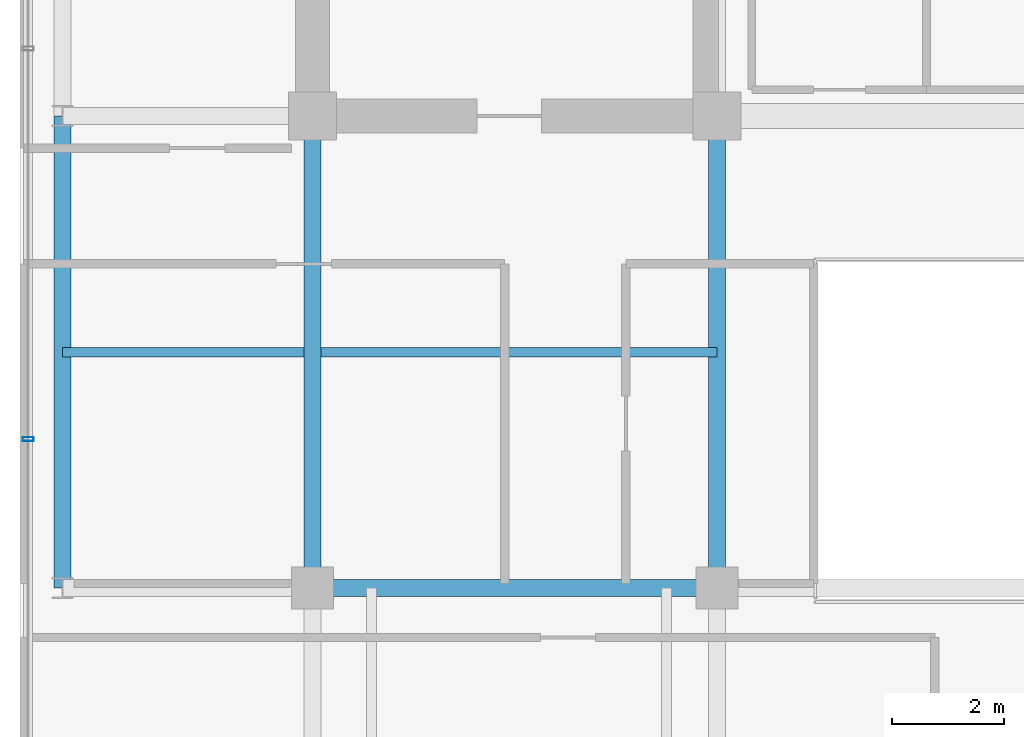
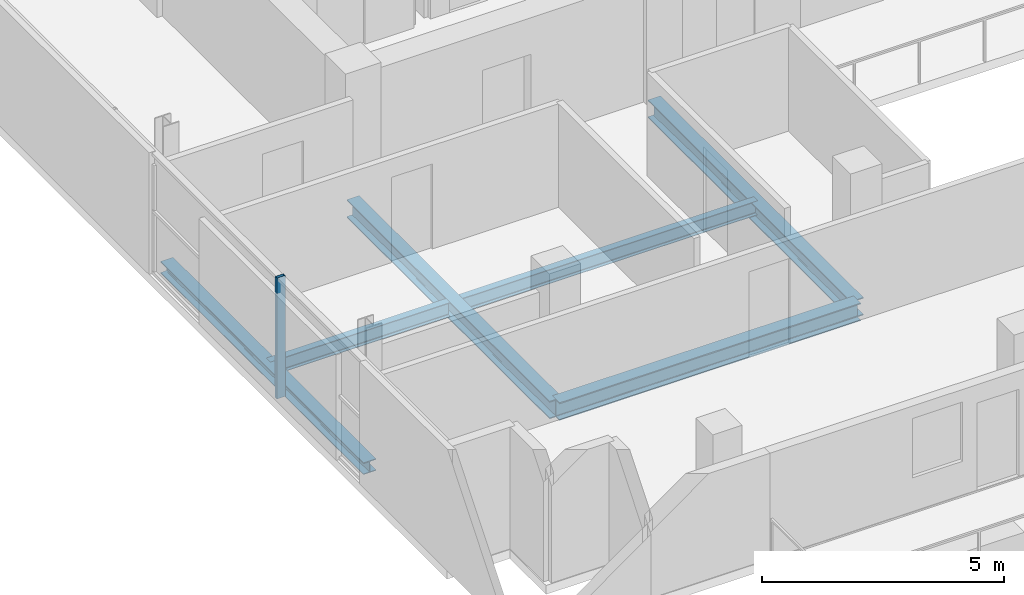
# One storey, part 4 of 22: 6 beams, 1 member, 1 element without a shape of its own.
"""IFC4 building model written with IfcOpenShell, lengths in metres."""

import ifcopenshell
import ifcopenshell.guid

model = None  # the IFC model being written
_history = None  # IfcOwnerHistory: only IFC2X3 demands one
_inside = {}  # id of a spatial element -> (the spatial element, [elements in it])
_under = {}  # id of a project, library or spatial element -> (it, [spatial elements below it])
_declared = {}  # id of a project -> (the project, [libraries it declares])
_typed = {}  # id of a type object -> (the type object, [elements of that type])
_made_of = {}  # id of a material, layer set ... -> (it, [elements and type objects made of it])


def new_model(schema):
    """Start an empty IFC model of exactly this schema.

    Asked for "IFC4X3", IfcOpenShell would pick the latest addendum, in which some entities
    have other attributes; the version numbers below select the first issue.
    IFC2X3 requires an IfcOwnerHistory on every rooted entity: one is made here for all.
    """
    global model, _history
    if schema == "IFC4X3":
        model = ifcopenshell.file(schema_version=(4, 3, 0, 0))
    else:
        model = ifcopenshell.file(schema=schema)
    _inside.clear()
    _under.clear()
    _declared.clear()
    _typed.clear()
    _made_of.clear()
    _history = None
    if model.schema == "IFC2X3":
        org = make("IfcOrganization", Name="unknown")
        user = make(
            "IfcPersonAndOrganization",
            ThePerson=make("IfcPerson", FamilyName="unknown"),
            TheOrganization=org,
        )
        app = make(
            "IfcApplication",
            ApplicationDeveloper=org,
            Version="unknown",
            ApplicationFullName="unknown",
            ApplicationIdentifier="unknown",
        )
        _history = make(
            "IfcOwnerHistory",
            OwningUser=user,
            OwningApplication=app,
            ChangeAction="ADDED",
            CreationDate=0,
        )
    return model


def make(cls, **values):
    """One entity of the class cls with the attributes given. An attribute that is None is left unset."""
    return model.create_entity(
        cls, **{name: value for name, value in values.items() if value is not None}
    )


def rooted(cls, **values):
    """An entity with a GlobalId (a new one), such as an element, a storey or a relation."""
    return make(cls, GlobalId=ifcopenshell.guid.new(), OwnerHistory=_history, **values)


def si_unit(unit_type, name, prefix=None):
    """IfcSIUnit, for example si_unit("LENGTHUNIT", "METRE", prefix="MILLI")."""
    return make("IfcSIUnit", UnitType=unit_type, Prefix=prefix, Name=name)


def assignment(units):
    """IfcUnitAssignment: the units of a project."""
    return None if units is None else make("IfcUnitAssignment", Units=units)


def point(xyz):
    """IfcCartesianPoint."""
    return None if xyz is None else make("IfcCartesianPoint", Coordinates=xyz)


def direction(xyz):
    """IfcDirection."""
    return None if xyz is None else make("IfcDirection", DirectionRatios=xyz)


def frame(location, z_axis=None, x_axis=None):
    """IfcAxis2Placement3D, a coordinate frame: its origin and axes. An axis left out is left unset."""
    return make(
        "IfcAxis2Placement3D",
        Location=point(location),
        Axis=direction(z_axis),
        RefDirection=direction(x_axis),
    )


def frame_2d(location, x_axis=None):
    """IfcAxis2Placement2D, a coordinate frame in the plane: its origin and x axis."""
    return make(
        "IfcAxis2Placement2D", Location=point(location), RefDirection=direction(x_axis)
    )


def origin():
    """The frame at (0, 0, 0) with its axes left unset."""
    return frame((0.0, 0.0, 0.0))


def origin_2d():
    """The frame at (0, 0) in the plane with its x axis left unset."""
    return frame_2d((0.0, 0.0))


def place(relative_to, where):
    """IfcLocalPlacement: puts the frame where relative to a parent placement (None: the world)."""
    return make(
        "IfcLocalPlacement", PlacementRelTo=relative_to, RelativePlacement=where
    )


def context(
    kind, dimensions, precision=None, world=None, true_north=None, identifier=None
):
    """IfcGeometricRepresentationContext, for example the 3D "Model" context."""
    return make(
        "IfcGeometricRepresentationContext",
        ContextIdentifier=identifier,
        ContextType=kind,
        CoordinateSpaceDimension=dimensions,
        Precision=precision,
        WorldCoordinateSystem=world,
        TrueNorth=true_north,
    )


def subcontext(parent, identifier, kind, view, scale=None):
    """IfcGeometricRepresentationSubContext, for example "Body" below "Model"."""
    return make(
        "IfcGeometricRepresentationSubContext",
        ContextIdentifier=identifier,
        ContextType=kind,
        ParentContext=parent,
        TargetScale=scale,
        TargetView=view,
    )


def project(units=None, contexts=None):
    """IfcProject with its units and contexts."""
    return rooted(
        "IfcProject",
        Name="project",
        RepresentationContexts=contexts,
        UnitsInContext=assignment(units),
    )


def spatial(cls, under=None, at=None, **own):
    """A site, building, storey or space (cls), placed at a placement, below another one or the project."""
    s = rooted(cls, ObjectPlacement=at, **own)
    if under is not None:
        _under.setdefault(under.id(), (under, []))[1].append(s)
    return s


def profile(cls, at=None, kind="AREA", **sizes):
    """A parametric profile (cls). Its sizes go by their IFC names, for example OverallWidth=200.0."""
    return make(cls, ProfileType=kind, Position=at, **sizes)


def hollow_rectangle(**sizes):
    """IfcRectangleHollowProfileDef."""
    return profile("IfcRectangleHollowProfileDef", **sizes)


def i_section(**sizes):
    """IfcIShapeProfileDef."""
    return profile("IfcIShapeProfileDef", **sizes)


def extrude(swept, where, along, depth):
    """IfcExtrudedAreaSolid: the profile swept, set in the frame where, extruded along a direction by depth."""
    return make(
        "IfcExtrudedAreaSolid",
        SweptArea=swept,
        Position=where,
        ExtrudedDirection=direction(along),
        Depth=depth,
    )


def shape(context_of_items, identifier, shape_type, items):
    """IfcShapeRepresentation: the items that make up one representation, for example the "Body"."""
    return make(
        "IfcShapeRepresentation",
        ContextOfItems=context_of_items,
        RepresentationIdentifier=identifier,
        RepresentationType=shape_type,
        Items=items,
    )


def source(mapping_origin, context_of_items, identifier, shape_type, items):
    """IfcRepresentationMap: a shape defined once, which mapped items show again and again."""
    return make(
        "IfcRepresentationMap",
        MappingOrigin=mapping_origin,
        MappedRepresentation=shape(context_of_items, identifier, shape_type, items),
    )


def transform(
    local_origin,
    x_axis=None,
    y_axis=None,
    z_axis=None,
    scale=None,
    scale2=None,
    scale3=None,
    uniform=True,
):
    """IfcCartesianTransformationOperator3D, or its non-uniform kind. x_axis, y_axis, z_axis: its Axis1, 2, 3."""
    if uniform:
        return make(
            "IfcCartesianTransformationOperator3D",
            Axis1=direction(x_axis),
            Axis2=direction(y_axis),
            LocalOrigin=point(local_origin),
            Scale=scale,
            Axis3=direction(z_axis),
        )
    return make(
        "IfcCartesianTransformationOperator3DnonUniform",
        Axis1=direction(x_axis),
        Axis2=direction(y_axis),
        LocalOrigin=point(local_origin),
        Scale=scale,
        Axis3=direction(z_axis),
        Scale2=scale2,
        Scale3=scale3,
    )


def mapped(mapping_source, mapping_target):
    """IfcMappedItem: shows the shape of a source again, moved by a transform."""
    return make(
        "IfcMappedItem", MappingSource=mapping_source, MappingTarget=mapping_target
    )


def material(Name=None, Category=None):
    """IfcMaterial."""
    return make("IfcMaterial", Name=Name, Category=Category)


def layer(
    of_material, thickness, ventilated=None, Name=None, Category=None, Priority=None
):
    """IfcMaterialLayer: one layer of a wall or slab, of a material (None: an air gap)."""
    return make(
        "IfcMaterialLayer",
        Material=of_material,
        LayerThickness=thickness,
        IsVentilated=ventilated,
        Name=Name,
        Category=Category,
        Priority=Priority,
    )


def layer_set(layers, Name=None):
    """IfcMaterialLayerSet."""
    return make("IfcMaterialLayerSet", MaterialLayers=layers, LayerSetName=Name)


def material_profile(
    of_material, cross_section, Name=None, Category=None, Priority=None
):
    """IfcMaterialProfile: a cross section and its material."""
    return make(
        "IfcMaterialProfile",
        Name=Name,
        Material=of_material,
        Profile=cross_section,
        Priority=Priority,
        Category=Category,
    )


def profile_set(profiles, Name=None, composite=None):
    """IfcMaterialProfileSet."""
    return make(
        "IfcMaterialProfileSet",
        Name=Name,
        MaterialProfiles=profiles,
        CompositeProfile=composite,
    )


def made_of(thing, what):
    """Note that an element or type object is made of a material, layer set ...; save() writes the relation."""
    if what is not None:
        _made_of.setdefault(what.id(), (what, []))[1].append(thing)
    return thing


def type_object(cls, material=None, **own):
    """A type object (cls), such as IfcWallType, which elements share."""
    return made_of(rooted(cls, **own), material)


def element(
    cls,
    number,
    at=None,
    inside=None,
    cuts=None,
    type_object=None,
    material=None,
    context=None,
    identifier="Body",
    shape_type=None,
    held_by="IfcProductDefinitionShape",
    body=None,
    shapes=None,
    **own,
):
    """One element of the class cls, such as IfcWall. Its Tag is "e" and its number.

    at: its placement. inside: the storey or other place that contains it. cuts: it is an
    opening in that element (IfcRelVoidsElement). A single representation is given by context,
    identifier, shape_type and body (its items); several are given by shapes. held_by: the class
    of the entity that holds the representations. save() writes the other relations.
    """
    e = rooted(cls, Tag="e%d" % number, ObjectPlacement=at, **own)
    if body is not None:
        shapes = [shape(context, identifier, shape_type, body)]
    if shapes is not None:
        e.Representation = make(held_by, Representations=shapes)
    if inside is not None:
        _inside.setdefault(inside.id(), (inside, []))[1].append(e)
    if cuts is not None:
        rooted(
            "IfcRelVoidsElement", RelatingBuildingElement=cuts, RelatedOpeningElement=e
        )
    if type_object is not None:
        _typed.setdefault(type_object.id(), (type_object, []))[1].append(e)
    return made_of(e, material)


def aggregate(whole, parts):
    """IfcRelAggregates: a whole, such as a stair, and the parts it consists of."""
    return rooted("IfcRelAggregates", RelatingObject=whole, RelatedObjects=parts)


def save(model, path):
    """Write the relations noted so far, then the file.

    IfcRelAggregates (storeys below a building ...), IfcRelContainedInSpatialStructure (elements
    in a storey), IfcRelDefinesByType, IfcRelAssociatesMaterial and IfcRelDeclares: one each for
    every whole, place, type object, material and project.
    """
    for whole, parts in _under.values():
        aggregate(whole, parts)
    for where, things in _inside.values():
        rooted(
            "IfcRelContainedInSpatialStructure",
            RelatedElements=things,
            RelatingStructure=where,
        )
    for kind, things in _typed.values():
        rooted("IfcRelDefinesByType", RelatedObjects=things, RelatingType=kind)
    for what, things in _made_of.values():
        rooted("IfcRelAssociatesMaterial", RelatedObjects=things, RelatingMaterial=what)
    for by, libraries in _declared.values():
        rooted("IfcRelDeclares", RelatingContext=by, RelatedDefinitions=libraries)
    model.write(path)


model = new_model("IFC4")

# Units and contexts
model_context = context("Model", 3, precision=1e-05, world=origin(), true_north=direction((0.0, 1.0)))
body_context = subcontext(model_context, "Body", "Model", "MODEL_VIEW")
ifc_project = project(units=[si_unit("LENGTHUNIT", "METRE"), si_unit("AREAUNIT", "SQUARE_METRE"), si_unit("VOLUMEUNIT", "CUBIC_METRE"), si_unit("PLANEANGLEUNIT", "RADIAN"), si_unit("MASSUNIT", "GRAM", prefix="KILO")], contexts=[model_context])

# Site, building, storey
site_placement = place(None, origin())
site = spatial("IfcSite", under=ifc_project, at=site_placement, CompositionType="ELEMENT")
building_placement = place(site_placement, origin())
building = spatial("IfcBuilding", under=site, at=building_placement, Name="Zarnakvel Exchange Tower", CompositionType="ELEMENT")
storey_placement = place(building_placement, frame((0.0, 0.0, 245.199951171875)))
storey = spatial("IfcBuildingStorey", under=building, at=storey_placement, Name="L69", CompositionType="ELEMENT", Elevation=245.199951171875)

# Beams
ifc_material_1 = material(Name="Steel S355", Category="steel")
ifc_material_profile_1 = material_profile(ifc_material_1, i_section(OverallWidth=0.169921875, OverallDepth=0.360107421875, WebThickness=0.008056640625, FlangeThickness=0.0126953125, FilletRadius=0.01806640625, at=origin_2d()))
ifc_profile_set_1 = profile_set([ifc_material_profile_1], Name="Steel S355")
beam_type_1 = type_object("IfcBeamType", Name="B-07", PredefinedType="JOIST", material=ifc_profile_set_1)
beam_1_placement = place(storey_placement, frame((-18.85009765625, -5.39990234375, -0.405029296875), z_axis=(1.0, 0.0, 0.0), x_axis=(0.0, 1.0, 0.0)))
element("IfcBeam", 1, at=beam_1_placement, inside=storey, type_object=beam_type_1, Name="L69 Composite Floor Secondary Joist", PredefinedType="JOIST", context=body_context, shape_type="SweptSolid", body=[
    extrude(i_section(OverallWidth=0.169921875, OverallDepth=0.360107421875, WebThickness=0.008056640625, FlangeThickness=0.0126953125, FilletRadius=0.01806640625, at=origin_2d()), origin(), (0.0, 0.0, 1.0), 4.300048828125),
])
beam_2_placement = place(storey_placement, frame((-14.25, -5.39990234375, -0.405029296875), z_axis=(1.0, 0.0, 0.0), x_axis=(0.0, 1.0, 0.0)))
element("IfcBeam", 2, at=beam_2_placement, inside=storey, type_object=beam_type_1, Name="L69 Composite Floor Secondary Joist", PredefinedType="JOIST", context=body_context, shape_type="SweptSolid", body=[
    extrude(i_section(OverallWidth=0.169921875, OverallDepth=0.360107421875, WebThickness=0.008056640625, FlangeThickness=0.0126953125, FilletRadius=0.01806640625, at=origin_2d()), origin(), (0.0, 0.0, 1.0), 7.050048828125),
])
ifc_material_profile_2 = material_profile(ifc_material_1, i_section(OverallWidth=0.300048828125, OverallDepth=0.449951171875, WebThickness=0.013916015625, FlangeThickness=0.02587890625, FilletRadius=0.027099609375, at=origin_2d()))
ifc_profile_set_2 = profile_set([ifc_material_profile_2], Name="Steel S355")
beam_type_2 = type_object("IfcBeamType", Name="G-07", PredefinedType="BEAM", material=ifc_profile_set_2)
beam_3_placement = place(storey_placement, frame((-14.39990234375, -9.60009765625, -0.449951171875), z_axis=(1.0, 0.0, 0.0), x_axis=(0.0, 1.0, 0.0)))
element("IfcBeam", 3, at=beam_3_placement, inside=storey, type_object=beam_type_2, Name="L69 Tower E-W Frame Beam", PredefinedType="BEAM", context=body_context, shape_type="SweptSolid", body=[
    extrude(i_section(OverallWidth=0.300048828125, OverallDepth=0.449951171875, WebThickness=0.013916015625, FlangeThickness=0.02587890625, FilletRadius=0.027099609375, at=origin_2d()), origin(), (0.0, 0.0, 1.0), 7.199951171875),
])
for number, where, z_axis, x_axis, name in (
    (4, (-14.39990234375, -9.60009765625, -0.449951171875), (0.0, 1.0, 0.0), (-1.0, 0.0, 0.0), "L69 Tower N-S Frame Beam"),
    (5, (-7.199951171875, -9.60009765625, -0.449951171875), (0.0, 1.0, 0.0), (-1.0, 0.0, 0.0), "L69 Tower N-S Frame Beam"),
):
    element("IfcBeam", number, at=place(storey_placement, frame(where, z_axis=z_axis, x_axis=x_axis)), inside=storey, type_object=beam_type_2, Name=name, PredefinedType="BEAM", context=body_context, shape_type="SweptSolid", body=[
        extrude(i_section(OverallWidth=0.300048828125, OverallDepth=0.449951171875, WebThickness=0.013916015625, FlangeThickness=0.02587890625, FilletRadius=0.027099609375, at=origin_2d()), origin(), (0.0, 0.0, 1.0), 8.400146484375),
    ])
ifc_material_profile_3 = material_profile(ifc_material_1, i_section(OverallWidth=0.300048828125, OverallDepth=0.300048828125, WebThickness=0.010986328125, FlangeThickness=0.01904296875, FilletRadius=0.027099609375, at=origin_2d()))
ifc_profile_set_3 = profile_set([ifc_material_profile_3], Name="Steel S355")
beam_type_3 = type_object("IfcBeamType", Name="SP-03", PredefinedType="SPANDREL", material=ifc_profile_set_3)
beam_4_placement = place(storey_placement, frame((-18.85009765625, -9.60009765625, -0.375), z_axis=(0.0, 1.0, 0.0), x_axis=(-1.0, 0.0, 0.0)))
element("IfcBeam", 6, at=beam_4_placement, inside=storey, type_object=beam_type_3, Name="L69 Tower N-S Frame Beam", PredefinedType="SPANDREL", context=body_context, shape_type="SweptSolid", body=[
    extrude(i_section(OverallWidth=0.300048828125, OverallDepth=0.300048828125, WebThickness=0.010986328125, FlangeThickness=0.01904296875, FilletRadius=0.027099609375, at=origin_2d()), origin(), (0.0, 0.0, 1.0), 8.400146484375),
])

# Curtain wall, member
ifc_material_2 = material(Name="Architectural Bronze Anodised Aluminium", Category="aluminium")
ifc_layer = layer(ifc_material_2, 0.199951171875)
ifc_layer_set = layer_set([ifc_layer], Name="Architectural Bronze Anodised Aluminium")
curtain_wall_type = type_object("IfcCurtainWallType", Name="CW-04", PredefinedType="NOTDEFINED", material=ifc_layer_set)
curtain_wall_placement = place(storey_placement, origin())
curtain_wall = element("IfcCurtainWall", 7, at=curtain_wall_placement, inside=storey, type_object=curtain_wall_type, Name="L69 Curtain Wall CW-L69-W1 (CW-04)", PredefinedType="NOTDEFINED")
ifc_material_profile_4 = material_profile(ifc_material_2, hollow_rectangle(XDim=0.199951171875, YDim=0.074951171875, WallThickness=0.0048828125, at=origin_2d()))
ifc_profile_set_4 = profile_set([ifc_material_profile_4], Name="Architectural Bronze Anodised Aluminium")
member_type = type_object("IfcMemberType", Name="CWM-04", PredefinedType="MULLION", material=ifc_profile_set_4)
shared_shape = source(origin(), body_context, "Body", "SweptSolid", [
    extrude(hollow_rectangle(XDim=0.199951171875, YDim=0.074951171875, WallThickness=0.0048828125, at=origin_2d()), origin(), (0.0, 0.0, 1.0), 3.054931640625),
])
member_placement = place(storey_placement, frame((-19.4599609375, -6.949951171875, 0.0), z_axis=(0.0, 0.0, 1.0), x_axis=(-1.0, 0.0, 0.0)))
member = element("IfcMember", 8, at=member_placement, type_object=member_type, Name="CW-04 mullion 2", PredefinedType="MULLION", context=body_context, shape_type="MappedRepresentation", body=[
    mapped(shared_shape, transform((0.0, 0.0, 0.0), x_axis=(1.0, 0.0, 0.0), y_axis=(0.0, 1.0, 0.0), z_axis=(0.0, 0.0, 1.0), scale=1.0)),
])
aggregate(curtain_wall, [member])

save(model, "model.ifc")
